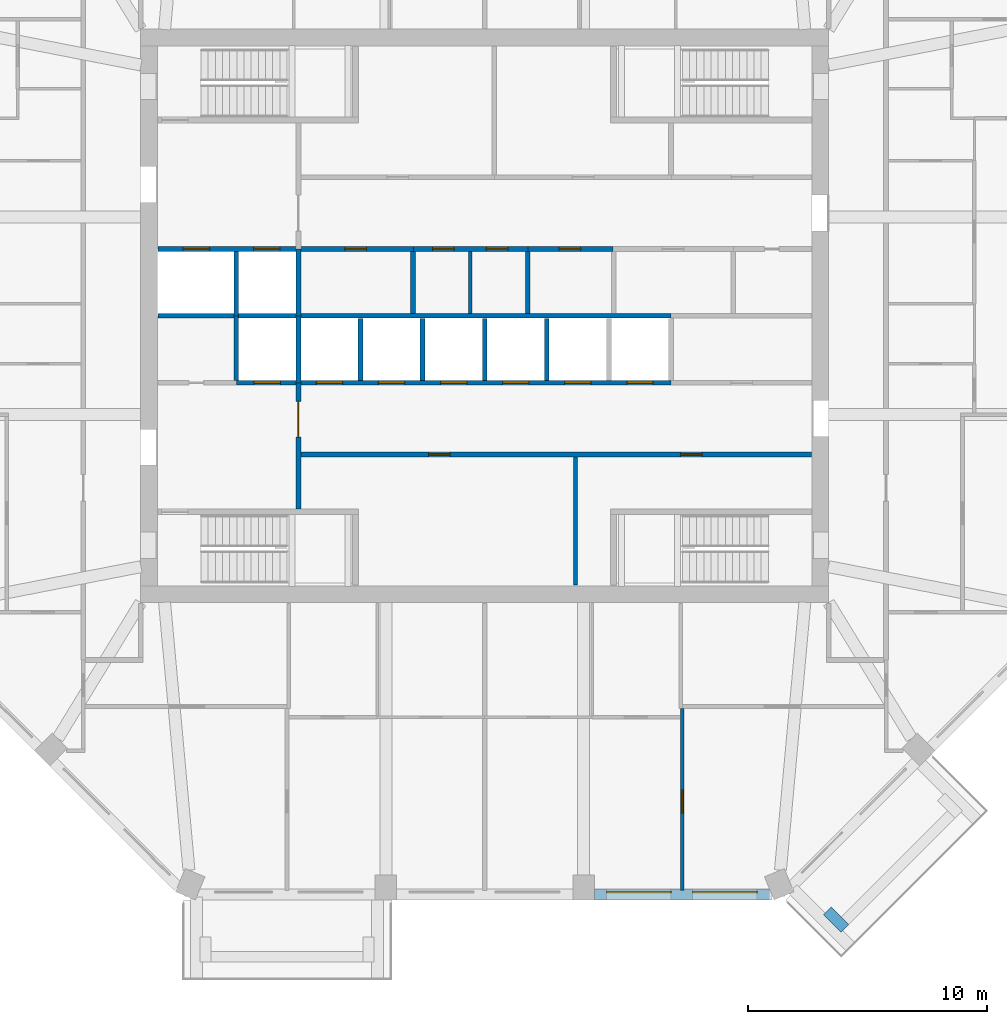
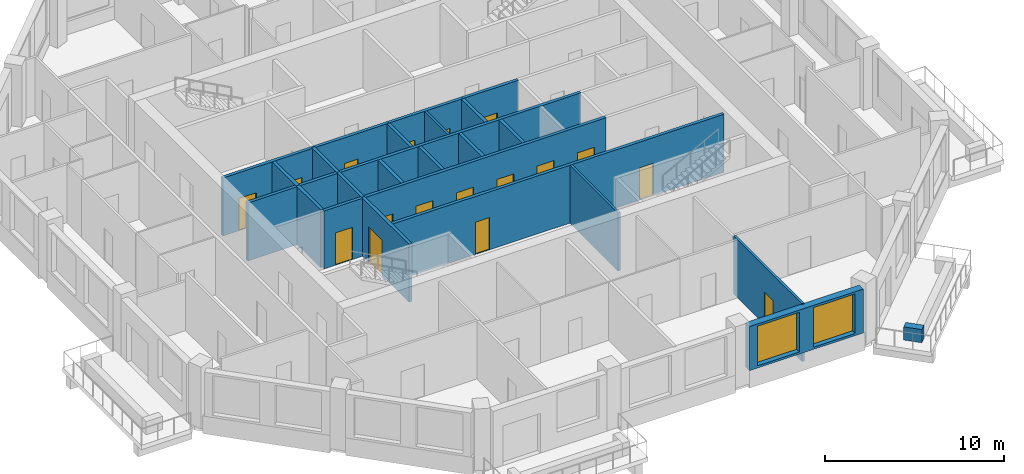
# One storey, part 4 of 10: 23 walls, 17 doors, 2 windows, 19 openings.
"""IFC4 building model written with IfcOpenShell, lengths in metres."""

from ifc_helpers import new_model, si_unit, direction, frame, frame_2d, origin, place, context, subcontext, project, spatial, rectangle, extrude, material, layer, layer_set, type_object, element, fill, save


model = new_model("IFC4")

# Units and contexts
model_context = context("Model", 3, precision=1e-05, world=origin(), true_north=direction((0.0, 1.0)))
body_context = subcontext(model_context, "Body", "Model", "MODEL_VIEW")
ifc_project = project(units=[si_unit("LENGTHUNIT", "METRE"), si_unit("AREAUNIT", "SQUARE_METRE"), si_unit("VOLUMEUNIT", "CUBIC_METRE"), si_unit("PLANEANGLEUNIT", "RADIAN"), si_unit("MASSUNIT", "GRAM", prefix="KILO")], contexts=[model_context])

# Site, building, storey
site_placement = place(None, origin())
site = spatial("IfcSite", under=ifc_project, at=site_placement, CompositionType="ELEMENT")
building_placement = place(site_placement, origin())
building = spatial("IfcBuilding", under=site, at=building_placement, Name="Msitu Wima Residences", CompositionType="ELEMENT")
storey_placement = place(building_placement, frame((0.0, 0.0, 195.89990234375)))
storey = spatial("IfcBuildingStorey", under=building, at=storey_placement, Name="L45", CompositionType="ELEMENT", Elevation=195.89990234375)

# Wall
ifc_material_1 = material(Name="Facing brick")
ifc_layer_1 = layer(ifc_material_1, 0.06494140625, Name="Facing brick")
ifc_material_2 = material(Name="Concrete C40/50", Category="concrete")
ifc_layer_2 = layer(ifc_material_2, 0.156005859375, Name="Concrete C40/50")
ifc_material_3 = material(Name="Waterproofing membrane")
ifc_layer_3 = layer(ifc_material_3, 0.00390625, Name="Waterproofing membrane")
ifc_material_4 = material(Name="Planting soil and planting")
ifc_layer_4 = layer(ifc_material_4, 0.22509765625, Name="Planting soil and planting")
ifc_layer_set_1 = layer_set([ifc_layer_1, ifc_layer_2, ifc_layer_3, ifc_layer_4], Name="Concrete C40/50")
wall_type_1 = type_object("IfcWallType", Name="Balcony planter PLANTER PL450", PredefinedType="USERDEFINED", material=ifc_layer_set_1)
wall_1_placement = place(storey_placement, frame((14.338623046875, -24.901611328125, 0.0), z_axis=(0.0, 0.0, 1.0), x_axis=(0.707106781187, -0.707106781187, 0.0)))
element("IfcWall", 1, at=wall_1_placement, inside=storey, type_object=wall_type_1, Name="Balcony planter SE0 L45", ObjectType="PLANTER", PredefinedType="USERDEFINED", context=body_context, shape_type="SweptSolid", body=[
    extrude(rectangle(XDim=1.050048828125, YDim=0.449951171875, at=frame_2d((0.52490234375, 0.0))), origin(), (0.0, 0.0, 1.0), 0.900146484375),
])

# Wall, openings, windows
ifc_material_5 = material(Name="Brick (red buff mix)", Category="masonry")
ifc_layer_5 = layer(ifc_material_5, 0.449951171875)
ifc_layer_set_2 = layer_set([ifc_layer_5], Name="Brick (red buff mix)")
wall_type_2 = type_object("IfcWallType", Name="Brick infill wall BW450", PredefinedType="SOLIDWALL", material=ifc_layer_set_2)
wall_2_placement = place(storey_placement, frame((4.587158203125, -24.22509765625, 0.900146484375), z_axis=(0.0, 0.0, 1.0), x_axis=(1.0, 0.0, 0.0)))
wall_2 = element("IfcWall", 2, at=wall_2_placement, inside=storey, type_object=wall_type_2, Name="Brick infill wall L45 S2", PredefinedType="SOLIDWALL", context=body_context, shape_type="SweptSolid", body=[
    extrude(rectangle(XDim=7.337646484375, YDim=0.449951171875, at=frame_2d((3.6689453125, 0.0))), origin(), (0.0, 0.0, 1.0), 3.0),
])
opening_1_placement = place(wall_2_placement, frame((0.518798828125, 0.0, 0.14990234375)))
opening_1 = element("IfcOpeningElement", 3, at=opening_1_placement, cuts=wall_2, Name="Opening W43-45.020", PredefinedType="OPENING", context=body_context, shape_type="SweptSolid", body=[
    extrude(rectangle(XDim=2.699951171875, YDim=2.699951171875, at=frame_2d((1.35009765625, 1.35009765625))), frame((0.0, 0.23486328125, 0.0), z_axis=(0.0, -1.0, 0.0), x_axis=(1.0, 0.0, 0.0)), (0.0, 0.0, 1.0), 0.469970703125),
])
opening_2_placement = place(wall_2_placement, frame((4.11865234375, 0.0, 0.14990234375)))
opening_2 = element("IfcOpeningElement", 4, at=opening_2_placement, cuts=wall_2, Name="Opening W43-45.021", PredefinedType="OPENING", context=body_context, shape_type="SweptSolid", body=[
    extrude(rectangle(XDim=2.699951171875, YDim=2.699951171875, at=frame_2d((1.35009765625, 1.35009765625))), frame((0.0, 0.23486328125, 0.0), z_axis=(0.0, -1.0, 0.0), x_axis=(1.0, 0.0, 0.0)), (0.0, 0.0, 1.0), 0.469970703125),
])
ifc_material_6 = material(Name="Anodised aluminium, bronze finish, clear low-emissivity double glazing", Category="aluminium")
window_type = type_object("IfcWindowType", Name="Window W2700x2700", PartitioningType="DOUBLE_PANEL_VERTICAL", PredefinedType="WINDOW", material=ifc_material_6)
window_1_placement = place(opening_1_placement, origin())
window_1 = element("IfcWindow", 5, at=window_1_placement, inside=storey, type_object=window_type, Name="Window L45 S2.1", OverallHeight=2.699951171875, OverallWidth=2.699951171875, PartitioningType="SINGLE_PANEL", PredefinedType="WINDOW", context=body_context, shape_type="SweptSolid", body=[
    extrude(rectangle(XDim=2.699951171875, YDim=2.699951171875, at=frame_2d((1.35009765625, 1.35009765625))), frame((0.0, 0.135009765625, 0.0), z_axis=(0.0, -1.0, 0.0), x_axis=(1.0, 0.0, 0.0)), (0.0, 0.0, 1.0), 0.06005859375),
])
fill(opening_1, window_1)
window_2_placement = place(opening_2_placement, origin())
window_2 = element("IfcWindow", 6, at=window_2_placement, inside=storey, type_object=window_type, Name="Window L45 S2.2", OverallHeight=2.699951171875, OverallWidth=2.699951171875, PartitioningType="SINGLE_PANEL", PredefinedType="WINDOW", context=body_context, shape_type="SweptSolid", body=[
    extrude(rectangle(XDim=2.699951171875, YDim=2.699951171875, at=frame_2d((1.35009765625, 1.35009765625))), frame((0.0, 0.135009765625, 0.0), z_axis=(0.0, -1.0, 0.0), x_axis=(1.0, 0.0, 0.0)), (0.0, 0.0, 1.0), 0.06005859375),
])
fill(opening_2, window_2)

# Wall, opening, door
ifc_material_7 = material(Name="Plaster")
ifc_layer_6 = layer(ifc_material_7, 0.011962890625, Name="Plaster")
ifc_material_8 = material(Name="Concrete blockwork", Category="masonry")
ifc_layer_7 = layer(ifc_material_8, 0.176025390625, Name="Concrete blockwork")
ifc_layer_8 = layer(ifc_material_7, 0.011962890625, Name="Plaster")
ifc_layer_set_3 = layer_set([ifc_layer_6, ifc_layer_7, ifc_layer_8], Name="Concrete blockwork")
wall_type_3 = type_object("IfcWallType", Name="Corridor wall FW200", PredefinedType="PARTITIONING", material=ifc_layer_set_3)
wall_3_placement = place(storey_placement, frame((-7.800048828125, -8.074951171875, 0.0), z_axis=(0.0, 0.0, 1.0), x_axis=(0.0, 1.0, 0.0)))
wall_3 = element("IfcWall", 7, at=wall_3_placement, inside=storey, type_object=wall_type_3, Name="Corridor wall", PredefinedType="PARTITIONING", context=body_context, shape_type="SweptSolid", body=[
    extrude(rectangle(XDim=5.27490234375, YDim=0.199951171875, at=frame_2d((2.637451171875, 0.0))), origin(), (0.0, 0.0, 1.0), 3.9501953125),
])
opening_3_placement = place(wall_3_placement, frame((3.0, 0.0, 0.0)))
opening_3 = element("IfcOpeningElement", 8, at=opening_3_placement, cuts=wall_3, Name="Opening D43-45.054", PredefinedType="OPENING", context=body_context, shape_type="SweptSolid", body=[
    extrude(rectangle(XDim=1.5, YDim=2.39990234375, at=frame_2d((0.75, 1.199951171875))), frame((0.0, 0.10986328125, 0.0), z_axis=(0.0, -1.0, 0.0), x_axis=(1.0, 0.0, 0.0)), (0.0, 0.0, 1.0), 0.219970703125),
])
ifc_material_9 = material(Name="Steel framed glazed door, fire resisting", Category="steel")
door_type_1 = type_object("IfcDoorType", Name="Lobby door D07 1500x2400", OperationType="DOUBLE_DOOR_SINGLE_SWING", PredefinedType="DOOR", material=ifc_material_9)
door_1_placement = place(opening_3_placement, origin())
door_1 = element("IfcDoor", 9, at=door_1_placement, inside=storey, type_object=door_type_1, Name="Lobby door", OperationType="DOUBLE_DOOR_SINGLE_SWING", OverallHeight=2.39990234375, OverallWidth=1.5, PredefinedType="DOOR", context=body_context, shape_type="SweptSolid", body=[
    extrude(rectangle(XDim=1.5, YDim=2.39990234375, at=frame_2d((0.75, 1.199951171875))), frame((0.0, 0.02490234375, 0.0), z_axis=(0.0, -1.0, 0.0), x_axis=(1.0, 0.0, 0.0)), (0.0, 0.0, 1.0), 0.050048828125),
])
fill(opening_3, door_1)

# Wall, openings, doors
wall_4_placement = place(storey_placement, frame((-7.699951171875, -5.800048828125, 0.0), z_axis=(0.0, 0.0, 1.0), x_axis=(1.0, 0.0, 0.0)))
wall_4 = element("IfcWall", 10, at=wall_4_placement, inside=storey, type_object=wall_type_3, Name="Corridor wall", PredefinedType="PARTITIONING", context=body_context, shape_type="SweptSolid", body=[
    extrude(rectangle(XDim=21.369873046875, YDim=0.199951171875, at=frame_2d((10.68505859375, 0.0))), origin(), (0.0, 0.0, 1.0), 3.9501953125),
])
opening_4_placement = place(wall_4_placement, frame((5.35009765625, 0.0, 0.0)))
opening_4 = element("IfcOpeningElement", 11, at=opening_4_placement, cuts=wall_4, Name="Opening D43-45.058", PredefinedType="OPENING", context=body_context, shape_type="SweptSolid", body=[
    extrude(rectangle(XDim=0.89990234375, YDim=2.199951171875, at=frame_2d((0.449951171875, 1.10009765625))), frame((0.0, 0.10986328125, 0.0), z_axis=(0.0, -1.0, 0.0), x_axis=(1.0, 0.0, 0.0)), (0.0, 0.0, 1.0), 0.219970703125),
])
opening_5_placement = place(wall_4_placement, frame((15.89990234375, 0.0, 0.0)))
opening_5 = element("IfcOpeningElement", 12, at=opening_5_placement, cuts=wall_4, Name="Opening D43-45.059", PredefinedType="OPENING", context=body_context, shape_type="SweptSolid", body=[
    extrude(rectangle(XDim=0.89990234375, YDim=2.199951171875, at=frame_2d((0.449951171875, 1.10009765625))), frame((0.0, 0.10986328125, 0.0), z_axis=(0.0, -1.0, 0.0), x_axis=(1.0, 0.0, 0.0)), (0.0, 0.0, 1.0), 0.219970703125),
])
ifc_material_10 = material(Name="Timber flush door", Category="wood")
door_type_2 = type_object("IfcDoorType", Name="Service door D05 900x2200", OperationType="SINGLE_SWING_LEFT", PredefinedType="DOOR", material=ifc_material_10)
door_2_placement = place(opening_4_placement, origin())
door_2 = element("IfcDoor", 13, at=door_2_placement, inside=storey, type_object=door_type_2, Name="Service door", OperationType="SINGLE_SWING_RIGHT", OverallHeight=2.199951171875, OverallWidth=0.89990234375, PredefinedType="DOOR", context=body_context, shape_type="SweptSolid", body=[
    extrude(rectangle(XDim=0.89990234375, YDim=2.199951171875, at=frame_2d((0.449951171875, 1.10009765625))), frame((0.0, 0.02490234375, 0.0), z_axis=(0.0, -1.0, 0.0), x_axis=(1.0, 0.0, 0.0)), (0.0, 0.0, 1.0), 0.050048828125),
])
fill(opening_4, door_2)
door_3_placement = place(opening_5_placement, origin())
door_3 = element("IfcDoor", 14, at=door_3_placement, inside=storey, type_object=door_type_2, Name="Service door", OperationType="SINGLE_SWING_LEFT", OverallHeight=2.199951171875, OverallWidth=0.89990234375, PredefinedType="DOOR", context=body_context, shape_type="SweptSolid", body=[
    extrude(rectangle(XDim=0.89990234375, YDim=2.199951171875, at=frame_2d((0.449951171875, 1.10009765625))), frame((0.0, 0.02490234375, 0.0), z_axis=(0.0, -1.0, 0.0), x_axis=(1.0, 0.0, 0.0)), (0.0, 0.0, 1.0), 0.050048828125),
])
fill(opening_5, door_3)

wall_5_placement = place(storey_placement, frame((-2.97998046875, 2.800048828125, 0.0), z_axis=(0.0, 0.0, 1.0), x_axis=(1.0, 0.0, 0.0)))
wall_5 = element("IfcWall", 15, at=wall_5_placement, inside=storey, type_object=wall_type_3, Name="Corridor wall", PredefinedType="PARTITIONING", context=body_context, shape_type="SweptSolid", body=[
    extrude(rectangle(XDim=4.800048828125, YDim=0.199951171875, at=frame_2d((2.39990234375, 0.0))), origin(), (0.0, 0.0, 1.0), 3.9501953125),
])
opening_6_placement = place(wall_5_placement, frame((0.800048828125, 0.0, 0.0)))
opening_6 = element("IfcOpeningElement", 16, at=opening_6_placement, cuts=wall_5, Name="Opening D43-45.063", PredefinedType="OPENING", context=body_context, shape_type="SweptSolid", body=[
    extrude(rectangle(XDim=0.89990234375, YDim=2.199951171875, at=frame_2d((0.449951171875, 1.10009765625))), frame((0.0, 0.10986328125, 0.0), z_axis=(0.0, -1.0, 0.0), x_axis=(1.0, 0.0, 0.0)), (0.0, 0.0, 1.0), 0.219970703125),
])
opening_7_placement = place(wall_5_placement, frame((3.050048828125, 0.0, 0.0)))
opening_7 = element("IfcOpeningElement", 17, at=opening_7_placement, cuts=wall_5, Name="Opening D43-45.064", PredefinedType="OPENING", context=body_context, shape_type="SweptSolid", body=[
    extrude(rectangle(XDim=0.89990234375, YDim=2.199951171875, at=frame_2d((0.449951171875, 1.10009765625))), frame((0.0, 0.10986328125, 0.0), z_axis=(0.0, -1.0, 0.0), x_axis=(1.0, 0.0, 0.0)), (0.0, 0.0, 1.0), 0.219970703125),
])
door_4_placement = place(opening_6_placement, origin())
door_4 = element("IfcDoor", 18, at=door_4_placement, inside=storey, type_object=door_type_2, Name="Service door", OperationType="SINGLE_SWING_LEFT", OverallHeight=2.199951171875, OverallWidth=0.89990234375, PredefinedType="DOOR", context=body_context, shape_type="SweptSolid", body=[
    extrude(rectangle(XDim=0.89990234375, YDim=2.199951171875, at=frame_2d((0.449951171875, 1.10009765625))), frame((0.0, 0.02490234375, 0.0), z_axis=(0.0, -1.0, 0.0), x_axis=(1.0, 0.0, 0.0)), (0.0, 0.0, 1.0), 0.050048828125),
])
fill(opening_6, door_4)
door_5_placement = place(opening_7_placement, origin())
door_5 = element("IfcDoor", 19, at=door_5_placement, inside=storey, type_object=door_type_2, Name="Service door", OperationType="SINGLE_SWING_RIGHT", OverallHeight=2.199951171875, OverallWidth=0.89990234375, PredefinedType="DOOR", context=body_context, shape_type="SweptSolid", body=[
    extrude(rectangle(XDim=0.89990234375, YDim=2.199951171875, at=frame_2d((0.449951171875, 1.10009765625))), frame((0.0, 0.02490234375, 0.0), z_axis=(0.0, -1.0, 0.0), x_axis=(1.0, 0.0, 0.0)), (0.0, 0.0, 1.0), 0.050048828125),
])
fill(opening_7, door_5)

# Walls
ifc_layer_9 = layer(ifc_material_7, 0.011962890625, Name="Plaster")
ifc_layer_10 = layer(ifc_material_8, 0.1259765625, Name="Concrete blockwork")
ifc_layer_11 = layer(ifc_material_7, 0.011962890625, Name="Plaster")
ifc_layer_set_4 = layer_set([ifc_layer_9, ifc_layer_10, ifc_layer_11], Name="Concrete blockwork")
wall_type_4 = type_object("IfcWallType", Name="Partition PW150", PredefinedType="PARTITIONING", material=ifc_layer_set_4)
wall_6_placement = place(storey_placement, frame((-0.60009765625, 0.10009765625, 0.0), z_axis=(0.0, 0.0, 1.0), x_axis=(0.0, 1.0, 0.0)))
element("IfcWall", 20, at=wall_6_placement, inside=storey, type_object=wall_type_4, Name="Partition", PredefinedType="PARTITIONING", context=body_context, shape_type="SweptSolid", body=[
    extrude(rectangle(XDim=2.599853515625, YDim=0.14990234375, at=frame_2d((1.2998046875, 0.0))), origin(), (0.0, 0.0, 1.0), 3.9501953125),
])
wall_7_placement = place(storey_placement, frame((3.800048828125, -11.27001953125, 0.0), z_axis=(0.0, 0.0, 1.0), x_axis=(0.0, 1.0, 0.0)))
element("IfcWall", 21, at=wall_7_placement, inside=storey, type_object=wall_type_4, Name="Partition", PredefinedType="PARTITIONING", context=body_context, shape_type="SweptSolid", body=[
    extrude(rectangle(XDim=5.3701171875, YDim=0.14990234375, at=frame_2d((2.68505859375, 0.0))), origin(), (0.0, 0.0, 1.0), 3.9501953125),
])

# Wall, opening, door
wall_8_placement = place(storey_placement, frame((8.2744140625, -24.054931640625, 0.0), z_axis=(0.0, 0.0, 1.0), x_axis=(0.0, 1.0, 0.0)))
wall_8 = element("IfcWall", 22, at=wall_8_placement, inside=storey, type_object=wall_type_4, Name="Partition", PredefinedType="PARTITIONING", context=body_context, shape_type="SweptSolid", body=[
    extrude(rectangle(XDim=7.6298828125, YDim=0.14990234375, at=frame_2d((3.81494140625, 0.0))), origin(), (0.0, 0.0, 1.0), 3.9501953125),
])
opening_8_placement = place(wall_8_placement, frame((3.25, 0.0, 0.0)))
opening_8 = element("IfcOpeningElement", 23, at=opening_8_placement, cuts=wall_8, Name="Opening D43-45.013", PredefinedType="OPENING", context=body_context, shape_type="SweptSolid", body=[
    extrude(rectangle(XDim=0.949951171875, YDim=2.199951171875, at=frame_2d((0.47509765625, 1.10009765625))), frame((0.0, 0.0849609375, 0.0), z_axis=(0.0, -1.0, 0.0), x_axis=(1.0, 0.0, 0.0)), (0.0, 0.0, 1.0), 0.169921875),
])
door_type_3 = type_object("IfcDoorType", Name="Room door D12 950x2200", OperationType="SINGLE_SWING_LEFT", PredefinedType="DOOR", material=ifc_material_10)
door_6_placement = place(opening_8_placement, origin())
door_6 = element("IfcDoor", 24, at=door_6_placement, inside=storey, type_object=door_type_3, Name="Room door", OperationType="SINGLE_SWING_RIGHT", OverallHeight=2.199951171875, OverallWidth=0.949951171875, PredefinedType="DOOR", context=body_context, shape_type="SweptSolid", body=[
    extrude(rectangle(XDim=0.949951171875, YDim=2.199951171875, at=frame_2d((0.47509765625, 1.10009765625))), frame((0.0, 0.02490234375, 0.0), z_axis=(0.0, -1.0, 0.0), x_axis=(1.0, 0.0, 0.0)), (0.0, 0.0, 1.0), 0.050048828125),
])
fill(opening_8, door_6)

ifc_layer_12 = layer(ifc_material_7, 0.011962890625, Name="Plaster")
ifc_material_11 = material(Name="Reinforced concrete blockwork", Category="masonry")
ifc_layer_13 = layer(ifc_material_11, 0.176025390625, Name="Reinforced concrete blockwork")
ifc_layer_14 = layer(ifc_material_7, 0.011962890625, Name="Plaster")
ifc_layer_set_5 = layer_set([ifc_layer_12, ifc_layer_13, ifc_layer_14], Name="Reinforced concrete blockwork")
wall_type_5 = type_object("IfcWallType", Name="Plant and riser wall PL200", PredefinedType="PARTITIONING", material=ifc_layer_set_5)
wall_9_placement = place(storey_placement, frame((-7.800048828125, 2.800048828125, 0.0), z_axis=(0.0, 0.0, 1.0), x_axis=(1.0, 0.0, 0.0)))
wall_9 = element("IfcWall", 25, at=wall_9_placement, inside=storey, type_object=wall_type_5, Name="Plant and riser wall", PredefinedType="PARTITIONING", context=body_context, shape_type="SweptSolid", body=[
    extrude(rectangle(XDim=4.820068359375, YDim=0.199951171875, at=frame_2d((2.41015625, 0.0))), origin(), (0.0, 0.0, 1.0), 3.9501953125),
])
opening_9_placement = place(wall_9_placement, frame((1.949951171875, 0.0, 0.0)))
opening_9 = element("IfcOpeningElement", 26, at=opening_9_placement, cuts=wall_9, Name="Opening D43-45.062", PredefinedType="OPENING", context=body_context, shape_type="SweptSolid", body=[
    extrude(rectangle(XDim=0.89990234375, YDim=2.199951171875, at=frame_2d((0.449951171875, 1.10009765625))), frame((0.0, 0.10986328125, 0.0), z_axis=(0.0, -1.0, 0.0), x_axis=(1.0, 0.0, 0.0)), (0.0, 0.0, 1.0), 0.219970703125),
])
door_7_placement = place(opening_9_placement, origin())
door_7 = element("IfcDoor", 27, at=door_7_placement, inside=storey, type_object=door_type_2, Name="Service door", OperationType="SINGLE_SWING_RIGHT", OverallHeight=2.199951171875, OverallWidth=0.89990234375, PredefinedType="DOOR", context=body_context, shape_type="SweptSolid", body=[
    extrude(rectangle(XDim=0.89990234375, YDim=2.199951171875, at=frame_2d((0.449951171875, 1.10009765625))), frame((0.0, 0.02490234375, 0.0), z_axis=(0.0, -1.0, 0.0), x_axis=(1.0, 0.0, 0.0)), (0.0, 0.0, 1.0), 0.050048828125),
])
fill(opening_9, door_7)

# Wall
wall_10_placement = place(storey_placement, frame((-3.0, 0.10009765625, 0.0), z_axis=(0.0, 0.0, 1.0), x_axis=(0.0, 1.0, 0.0)))
element("IfcWall", 28, at=wall_10_placement, inside=storey, type_object=wall_type_5, Name="Plant and riser wall", PredefinedType="PARTITIONING", context=body_context, shape_type="SweptSolid", body=[
    extrude(rectangle(XDim=2.599853515625, YDim=0.199951171875, at=frame_2d((1.2998046875, 0.0))), origin(), (0.0, 0.0, 1.0), 3.9501953125),
])

# Wall, opening, door
wall_11_placement = place(storey_placement, frame((1.820068359375, 2.800048828125, 0.0), z_axis=(0.0, 0.0, 1.0), x_axis=(1.0, 0.0, 0.0)))
wall_11 = element("IfcWall", 29, at=wall_11_placement, inside=storey, type_object=wall_type_5, Name="Plant and riser wall", PredefinedType="PARTITIONING", context=body_context, shape_type="SweptSolid", body=[
    extrude(rectangle(XDim=3.559814453125, YDim=0.199951171875, at=frame_2d((1.77978515625, 0.0))), origin(), (0.0, 0.0, 1.0), 3.9501953125),
])
opening_10_placement = place(wall_11_placement, frame((1.300048828125, 0.0, 0.0)))
opening_10 = element("IfcOpeningElement", 30, at=opening_10_placement, cuts=wall_11, Name="Opening D43-45.065", PredefinedType="OPENING", context=body_context, shape_type="SweptSolid", body=[
    extrude(rectangle(XDim=0.89990234375, YDim=2.199951171875, at=frame_2d((0.449951171875, 1.10009765625))), frame((0.0, 0.10986328125, 0.0), z_axis=(0.0, -1.0, 0.0), x_axis=(1.0, 0.0, 0.0)), (0.0, 0.0, 1.0), 0.219970703125),
])
door_8_placement = place(opening_10_placement, origin())
door_8 = element("IfcDoor", 31, at=door_8_placement, inside=storey, type_object=door_type_2, Name="Service door", OperationType="SINGLE_SWING_RIGHT", OverallHeight=2.199951171875, OverallWidth=0.89990234375, PredefinedType="DOOR", context=body_context, shape_type="SweptSolid", body=[
    extrude(rectangle(XDim=0.89990234375, YDim=2.199951171875, at=frame_2d((0.449951171875, 1.10009765625))), frame((0.0, 0.02490234375, 0.0), z_axis=(0.0, -1.0, 0.0), x_axis=(1.0, 0.0, 0.0)), (0.0, 0.0, 1.0), 0.050048828125),
])
fill(opening_10, door_8)

# Walls
wall_12_placement = place(storey_placement, frame((1.800048828125, 0.10009765625, 0.0), z_axis=(0.0, 0.0, 1.0), x_axis=(0.0, 1.0, 0.0)))
element("IfcWall", 32, at=wall_12_placement, inside=storey, type_object=wall_type_5, Name="Plant and riser wall", PredefinedType="PARTITIONING", context=body_context, shape_type="SweptSolid", body=[
    extrude(rectangle(XDim=2.599853515625, YDim=0.199951171875, at=frame_2d((1.2998046875, 0.0))), origin(), (0.0, 0.0, 1.0), 3.9501953125),
])
ifc_material_12 = material(Name="Fire-rated board")
ifc_layer_15 = layer(ifc_material_12, 0.02490234375, Name="Fire-rated board")
ifc_material_13 = material(Name="Light-gauge stud framing with mineral wool")
ifc_layer_16 = layer(ifc_material_13, 0.14990234375, Name="Light-gauge stud framing with mineral wool")
ifc_layer_17 = layer(ifc_material_12, 0.02490234375, Name="Fire-rated board")
ifc_layer_set_6 = layer_set([ifc_layer_15, ifc_layer_16, ifc_layer_17], Name="Light-gauge stud framing with mineral wool")
wall_type_6 = type_object("IfcWallType", Name="Shaft wall SH200", PredefinedType="PARTITIONING", material=ifc_layer_set_6)
wall_13_placement = place(storey_placement, frame((-13.669921875, 0.0, 0.0), z_axis=(0.0, 0.0, 1.0), x_axis=(1.0, 0.0, 0.0)))
element("IfcWall", 33, at=wall_13_placement, inside=storey, type_object=wall_type_6, Name="Shaft wall", PredefinedType="PARTITIONING", context=body_context, shape_type="SweptSolid", body=[
    extrude(rectangle(XDim=21.469970703125, YDim=0.199951171875, at=frame_2d((10.73486328125, 0.0))), origin(), (0.0, 0.0, 1.0), 3.9501953125),
])

# Wall, openings, doors
wall_14_placement = place(storey_placement, frame((-13.669921875, 2.800048828125, 0.0), z_axis=(0.0, 0.0, 1.0), x_axis=(1.0, 0.0, 0.0)))
wall_14 = element("IfcWall", 34, at=wall_14_placement, inside=storey, type_object=wall_type_6, Name="Shaft wall", PredefinedType="PARTITIONING", context=body_context, shape_type="SweptSolid", body=[
    extrude(rectangle(XDim=5.869873046875, YDim=0.199951171875, at=frame_2d((2.93505859375, 0.0))), origin(), (0.0, 0.0, 1.0), 3.9501953125),
])
opening_11_placement = place(wall_14_placement, frame((1.050048828125, 0.0, 0.0)))
opening_11 = element("IfcOpeningElement", 35, at=opening_11_placement, cuts=wall_14, Name="Opening LD", PredefinedType="OPENING", context=body_context, shape_type="SweptSolid", body=[
    extrude(rectangle(XDim=1.10009765625, YDim=2.199951171875, at=frame_2d((0.550048828125, 1.10009765625))), frame((0.0, 0.10986328125, 0.0), z_axis=(0.0, -1.0, 0.0), x_axis=(1.0, 0.0, 0.0)), (0.0, 0.0, 1.0), 0.219970703125),
])
opening_12_placement = place(wall_14_placement, frame((4.0, 0.0, 0.0)))
opening_12 = element("IfcOpeningElement", 36, at=opening_12_placement, cuts=wall_14, Name="Opening LD", PredefinedType="OPENING", context=body_context, shape_type="SweptSolid", body=[
    extrude(rectangle(XDim=1.10009765625, YDim=2.199951171875, at=frame_2d((0.550048828125, 1.10009765625))), frame((0.0, 0.10986328125, 0.0), z_axis=(0.0, -1.0, 0.0), x_axis=(1.0, 0.0, 0.0)), (0.0, 0.0, 1.0), 0.219970703125),
])
ifc_material_14 = material(Name="Stainless steel centre-opening landing door, rated", Category="steel")
door_type_4 = type_object("IfcDoorType", Name="Lift landing door LD 1100x2200", OperationType="DOUBLE_DOOR_SLIDING", PredefinedType="DOOR", material=ifc_material_14)
door_9_placement = place(opening_11_placement, origin())
door_9 = element("IfcDoor", 37, at=door_9_placement, inside=storey, type_object=door_type_4, Name="Lift landing door LD1", OperationType="DOUBLE_DOOR_SLIDING", OverallHeight=2.199951171875, OverallWidth=1.10009765625, PredefinedType="DOOR", context=body_context, shape_type="SweptSolid", body=[
    extrude(rectangle(XDim=1.10009765625, YDim=2.199951171875, at=frame_2d((0.550048828125, 1.10009765625))), frame((0.0, 0.02490234375, 0.0), z_axis=(0.0, -1.0, 0.0), x_axis=(1.0, 0.0, 0.0)), (0.0, 0.0, 1.0), 0.050048828125),
])
fill(opening_11, door_9)
door_10_placement = place(opening_12_placement, origin())
door_10 = element("IfcDoor", 38, at=door_10_placement, inside=storey, type_object=door_type_4, Name="Lift landing door LD2", OperationType="DOUBLE_DOOR_SLIDING", OverallHeight=2.199951171875, OverallWidth=1.10009765625, PredefinedType="DOOR", context=body_context, shape_type="SweptSolid", body=[
    extrude(rectangle(XDim=1.10009765625, YDim=2.199951171875, at=frame_2d((0.550048828125, 1.10009765625))), frame((0.0, 0.02490234375, 0.0), z_axis=(0.0, -1.0, 0.0), x_axis=(1.0, 0.0, 0.0)), (0.0, 0.0, 1.0), 0.050048828125),
])
fill(opening_12, door_10)

# Wall
wall_15_placement = place(storey_placement, frame((-10.39990234375, -2.699951171875, 0.0), z_axis=(0.0, 0.0, 1.0), x_axis=(0.0, 1.0, 0.0)))
element("IfcWall", 39, at=wall_15_placement, inside=storey, type_object=wall_type_6, Name="Shaft wall", PredefinedType="PARTITIONING", context=body_context, shape_type="SweptSolid", body=[
    extrude(rectangle(XDim=2.699951171875, YDim=0.199951171875, at=frame_2d((1.35009765625, 0.0))), origin(), (0.0, 0.0, 1.0), 3.9501953125),
])

# Wall, openings, doors
wall_16_placement = place(storey_placement, frame((-10.39990234375, -2.800048828125, 0.0), z_axis=(0.0, 0.0, 1.0), x_axis=(1.0, 0.0, 0.0)))
wall_16 = element("IfcWall", 40, at=wall_16_placement, inside=storey, type_object=wall_type_6, Name="Shaft wall", PredefinedType="PARTITIONING", context=body_context, shape_type="SweptSolid", body=[
    extrude(rectangle(XDim=18.199951171875, YDim=0.199951171875, at=frame_2d((9.10009765625, 0.0))), origin(), (0.0, 0.0, 1.0), 3.9501953125),
])
opening_13_placement = place(wall_16_placement, frame((0.75, 0.0, 0.0)))
opening_13 = element("IfcOpeningElement", 41, at=opening_13_placement, cuts=wall_16, Name="Opening LD", PredefinedType="OPENING", context=body_context, shape_type="SweptSolid", body=[
    extrude(rectangle(XDim=1.10009765625, YDim=2.199951171875, at=frame_2d((0.550048828125, 1.10009765625))), frame((0.0, 0.10986328125, 0.0), z_axis=(0.0, -1.0, 0.0), x_axis=(1.0, 0.0, 0.0)), (0.0, 0.0, 1.0), 0.219970703125),
])
opening_14_placement = place(wall_16_placement, frame((3.35009765625, 0.0, 0.0)))
opening_14 = element("IfcOpeningElement", 42, at=opening_14_placement, cuts=wall_16, Name="Opening LD", PredefinedType="OPENING", context=body_context, shape_type="SweptSolid", body=[
    extrude(rectangle(XDim=1.10009765625, YDim=2.199951171875, at=frame_2d((0.550048828125, 1.10009765625))), frame((0.0, 0.10986328125, 0.0), z_axis=(0.0, -1.0, 0.0), x_axis=(1.0, 0.0, 0.0)), (0.0, 0.0, 1.0), 0.219970703125),
])
opening_15_placement = place(wall_16_placement, frame((5.949951171875, 0.0, 0.0)))
opening_15 = element("IfcOpeningElement", 43, at=opening_15_placement, cuts=wall_16, Name="Opening LD", PredefinedType="OPENING", context=body_context, shape_type="SweptSolid", body=[
    extrude(rectangle(XDim=1.10009765625, YDim=2.199951171875, at=frame_2d((0.550048828125, 1.10009765625))), frame((0.0, 0.10986328125, 0.0), z_axis=(0.0, -1.0, 0.0), x_axis=(1.0, 0.0, 0.0)), (0.0, 0.0, 1.0), 0.219970703125),
])
opening_16_placement = place(wall_16_placement, frame((8.550048828125, 0.0, 0.0)))
opening_16 = element("IfcOpeningElement", 44, at=opening_16_placement, cuts=wall_16, Name="Opening LD", PredefinedType="OPENING", context=body_context, shape_type="SweptSolid", body=[
    extrude(rectangle(XDim=1.10009765625, YDim=2.199951171875, at=frame_2d((0.550048828125, 1.10009765625))), frame((0.0, 0.10986328125, 0.0), z_axis=(0.0, -1.0, 0.0), x_axis=(1.0, 0.0, 0.0)), (0.0, 0.0, 1.0), 0.219970703125),
])
opening_17_placement = place(wall_16_placement, frame((11.14990234375, 0.0, 0.0)))
opening_17 = element("IfcOpeningElement", 45, at=opening_17_placement, cuts=wall_16, Name="Opening LD", PredefinedType="OPENING", context=body_context, shape_type="SweptSolid", body=[
    extrude(rectangle(XDim=1.10009765625, YDim=2.199951171875, at=frame_2d((0.550048828125, 1.10009765625))), frame((0.0, 0.10986328125, 0.0), z_axis=(0.0, -1.0, 0.0), x_axis=(1.0, 0.0, 0.0)), (0.0, 0.0, 1.0), 0.219970703125),
])
opening_18_placement = place(wall_16_placement, frame((13.75, 0.0, 0.0)))
opening_18 = element("IfcOpeningElement", 46, at=opening_18_placement, cuts=wall_16, Name="Opening LD", PredefinedType="OPENING", context=body_context, shape_type="SweptSolid", body=[
    extrude(rectangle(XDim=1.10009765625, YDim=2.199951171875, at=frame_2d((0.550048828125, 1.10009765625))), frame((0.0, 0.10986328125, 0.0), z_axis=(0.0, -1.0, 0.0), x_axis=(1.0, 0.0, 0.0)), (0.0, 0.0, 1.0), 0.219970703125),
])
opening_19_placement = place(wall_16_placement, frame((16.35009765625, 0.0, 0.0)))
opening_19 = element("IfcOpeningElement", 47, at=opening_19_placement, cuts=wall_16, Name="Opening LD", PredefinedType="OPENING", context=body_context, shape_type="SweptSolid", body=[
    extrude(rectangle(XDim=1.10009765625, YDim=2.199951171875, at=frame_2d((0.550048828125, 1.10009765625))), frame((0.0, 0.10986328125, 0.0), z_axis=(0.0, -1.0, 0.0), x_axis=(1.0, 0.0, 0.0)), (0.0, 0.0, 1.0), 0.219970703125),
])
door_11_placement = place(opening_13_placement, origin())
door_11 = element("IfcDoor", 48, at=door_11_placement, inside=storey, type_object=door_type_4, Name="Lift landing door LD3", OperationType="DOUBLE_DOOR_SLIDING", OverallHeight=2.199951171875, OverallWidth=1.10009765625, PredefinedType="DOOR", context=body_context, shape_type="SweptSolid", body=[
    extrude(rectangle(XDim=1.10009765625, YDim=2.199951171875, at=frame_2d((0.550048828125, 1.10009765625))), frame((0.0, 0.02490234375, 0.0), z_axis=(0.0, -1.0, 0.0), x_axis=(1.0, 0.0, 0.0)), (0.0, 0.0, 1.0), 0.050048828125),
])
fill(opening_13, door_11)
door_12_placement = place(opening_14_placement, origin())
door_12 = element("IfcDoor", 49, at=door_12_placement, inside=storey, type_object=door_type_4, Name="Lift landing door LD5", OperationType="DOUBLE_DOOR_SLIDING", OverallHeight=2.199951171875, OverallWidth=1.10009765625, PredefinedType="DOOR", context=body_context, shape_type="SweptSolid", body=[
    extrude(rectangle(XDim=1.10009765625, YDim=2.199951171875, at=frame_2d((0.550048828125, 1.10009765625))), frame((0.0, 0.02490234375, 0.0), z_axis=(0.0, -1.0, 0.0), x_axis=(1.0, 0.0, 0.0)), (0.0, 0.0, 1.0), 0.050048828125),
])
fill(opening_14, door_12)
door_13_placement = place(opening_15_placement, origin())
door_13 = element("IfcDoor", 50, at=door_13_placement, inside=storey, type_object=door_type_4, Name="Lift landing door LD7", OperationType="DOUBLE_DOOR_SLIDING", OverallHeight=2.199951171875, OverallWidth=1.10009765625, PredefinedType="DOOR", context=body_context, shape_type="SweptSolid", body=[
    extrude(rectangle(XDim=1.10009765625, YDim=2.199951171875, at=frame_2d((0.550048828125, 1.10009765625))), frame((0.0, 0.02490234375, 0.0), z_axis=(0.0, -1.0, 0.0), x_axis=(1.0, 0.0, 0.0)), (0.0, 0.0, 1.0), 0.050048828125),
])
fill(opening_15, door_13)
door_14_placement = place(opening_16_placement, origin())
door_14 = element("IfcDoor", 51, at=door_14_placement, inside=storey, type_object=door_type_4, Name="Lift landing door LD9", OperationType="DOUBLE_DOOR_SLIDING", OverallHeight=2.199951171875, OverallWidth=1.10009765625, PredefinedType="DOOR", context=body_context, shape_type="SweptSolid", body=[
    extrude(rectangle(XDim=1.10009765625, YDim=2.199951171875, at=frame_2d((0.550048828125, 1.10009765625))), frame((0.0, 0.02490234375, 0.0), z_axis=(0.0, -1.0, 0.0), x_axis=(1.0, 0.0, 0.0)), (0.0, 0.0, 1.0), 0.050048828125),
])
fill(opening_16, door_14)
door_15_placement = place(opening_17_placement, origin())
door_15 = element("IfcDoor", 52, at=door_15_placement, inside=storey, type_object=door_type_4, Name="Lift landing door LD11", OperationType="DOUBLE_DOOR_SLIDING", OverallHeight=2.199951171875, OverallWidth=1.10009765625, PredefinedType="DOOR", context=body_context, shape_type="SweptSolid", body=[
    extrude(rectangle(XDim=1.10009765625, YDim=2.199951171875, at=frame_2d((0.550048828125, 1.10009765625))), frame((0.0, 0.02490234375, 0.0), z_axis=(0.0, -1.0, 0.0), x_axis=(1.0, 0.0, 0.0)), (0.0, 0.0, 1.0), 0.050048828125),
])
fill(opening_17, door_15)
door_16_placement = place(opening_18_placement, origin())
door_16 = element("IfcDoor", 53, at=door_16_placement, inside=storey, type_object=door_type_4, Name="Lift landing door LD13", OperationType="DOUBLE_DOOR_SLIDING", OverallHeight=2.199951171875, OverallWidth=1.10009765625, PredefinedType="DOOR", context=body_context, shape_type="SweptSolid", body=[
    extrude(rectangle(XDim=1.10009765625, YDim=2.199951171875, at=frame_2d((0.550048828125, 1.10009765625))), frame((0.0, 0.02490234375, 0.0), z_axis=(0.0, -1.0, 0.0), x_axis=(1.0, 0.0, 0.0)), (0.0, 0.0, 1.0), 0.050048828125),
])
fill(opening_18, door_16)
door_17_placement = place(opening_19_placement, origin())
door_17 = element("IfcDoor", 54, at=door_17_placement, inside=storey, type_object=door_type_4, Name="Lift landing door LD15", OperationType="DOUBLE_DOOR_SLIDING", OverallHeight=2.199951171875, OverallWidth=1.10009765625, PredefinedType="DOOR", context=body_context, shape_type="SweptSolid", body=[
    extrude(rectangle(XDim=1.10009765625, YDim=2.199951171875, at=frame_2d((0.550048828125, 1.10009765625))), frame((0.0, 0.02490234375, 0.0), z_axis=(0.0, -1.0, 0.0), x_axis=(1.0, 0.0, 0.0)), (0.0, 0.0, 1.0), 0.050048828125),
])
fill(opening_19, door_17)

# Walls
wall_17_placement = place(storey_placement, frame((-10.39990234375, 0.0, 0.0), z_axis=(0.0, 0.0, 1.0), x_axis=(0.0, 1.0, 0.0)))
element("IfcWall", 55, at=wall_17_placement, inside=storey, type_object=wall_type_6, Name="Shaft wall", PredefinedType="PARTITIONING", context=body_context, shape_type="SweptSolid", body=[
    extrude(rectangle(XDim=2.699951171875, YDim=0.199951171875, at=frame_2d((1.35009765625, 0.0))), origin(), (0.0, 0.0, 1.0), 3.9501953125),
])
for number, where, z_axis, x_axis, name in (
    (56, (-7.800048828125, -2.800048828125, 0.0), (0.0, 0.0, 1.0), (0.0, 1.0, 0.0), "Shaft wall"),
    (57, (-7.800048828125, 0.0, 0.0), (0.0, 0.0, 1.0), (0.0, 1.0, 0.0), "Shaft wall"),
):
    element("IfcWall", number, at=place(storey_placement, frame(where, z_axis=z_axis, x_axis=x_axis)), inside=storey, type_object=wall_type_6, Name=name, PredefinedType="PARTITIONING", context=body_context, shape_type="SweptSolid", body=[
        extrude(rectangle(XDim=2.800048828125, YDim=0.199951171875, at=frame_2d((1.39990234375, 0.0))), origin(), (0.0, 0.0, 1.0), 3.9501953125),
    ])
for number, where, z_axis, x_axis, name in (
    (58, (-5.199951171875, -2.699951171875, 0.0), (0.0, 0.0, 1.0), (0.0, 1.0, 0.0), "Shaft wall"),
    (59, (-2.60009765625, -2.699951171875, 0.0), (0.0, 0.0, 1.0), (0.0, 1.0, 0.0), "Shaft wall"),
    (60, (0.0, -2.699951171875, 0.0), (0.0, 0.0, 1.0), (0.0, 1.0, 0.0), "Shaft wall"),
    (61, (2.60009765625, -2.699951171875, 0.0), (0.0, 0.0, 1.0), (0.0, 1.0, 0.0), "Shaft wall"),
):
    element("IfcWall", number, at=place(storey_placement, frame(where, z_axis=z_axis, x_axis=x_axis)), inside=storey, type_object=wall_type_6, Name=name, PredefinedType="PARTITIONING", context=body_context, shape_type="SweptSolid", body=[
        extrude(rectangle(XDim=2.599853515625, YDim=0.199951171875, at=frame_2d((1.2998046875, 0.0))), origin(), (0.0, 0.0, 1.0), 3.9501953125),
    ])

save(model, "model.ifc")
